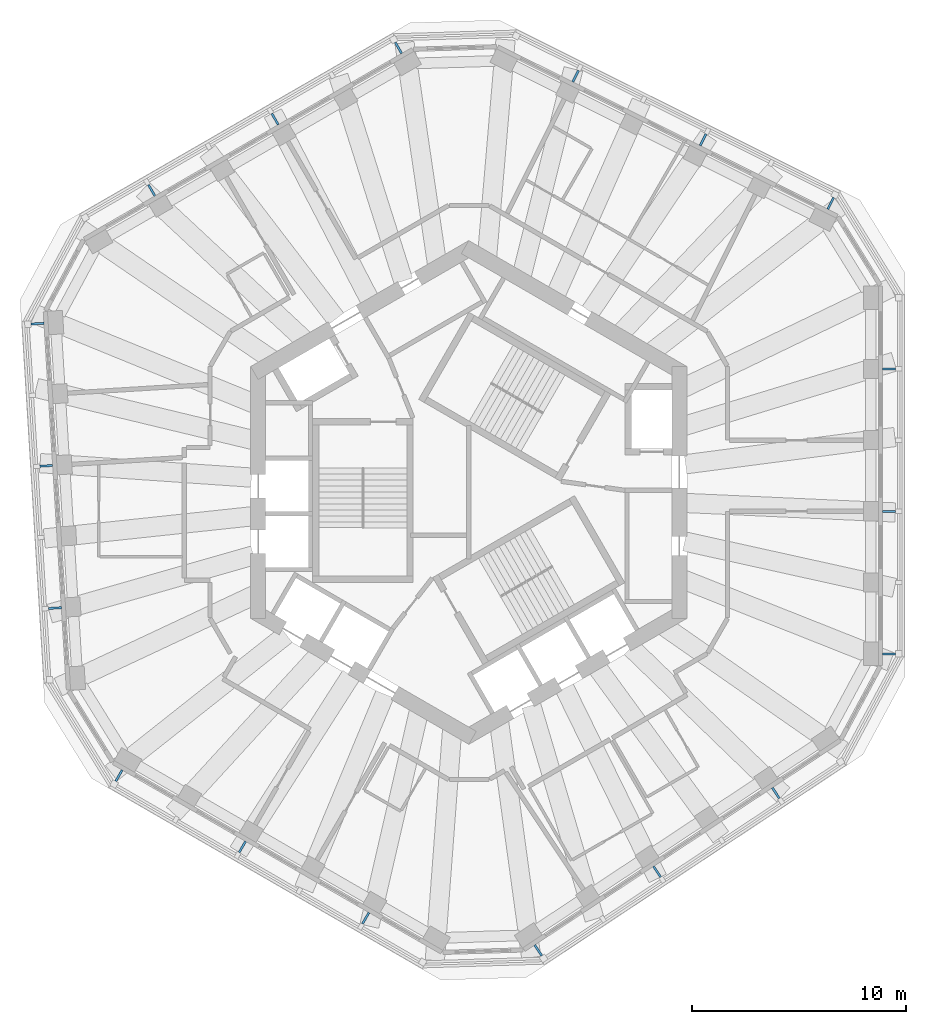
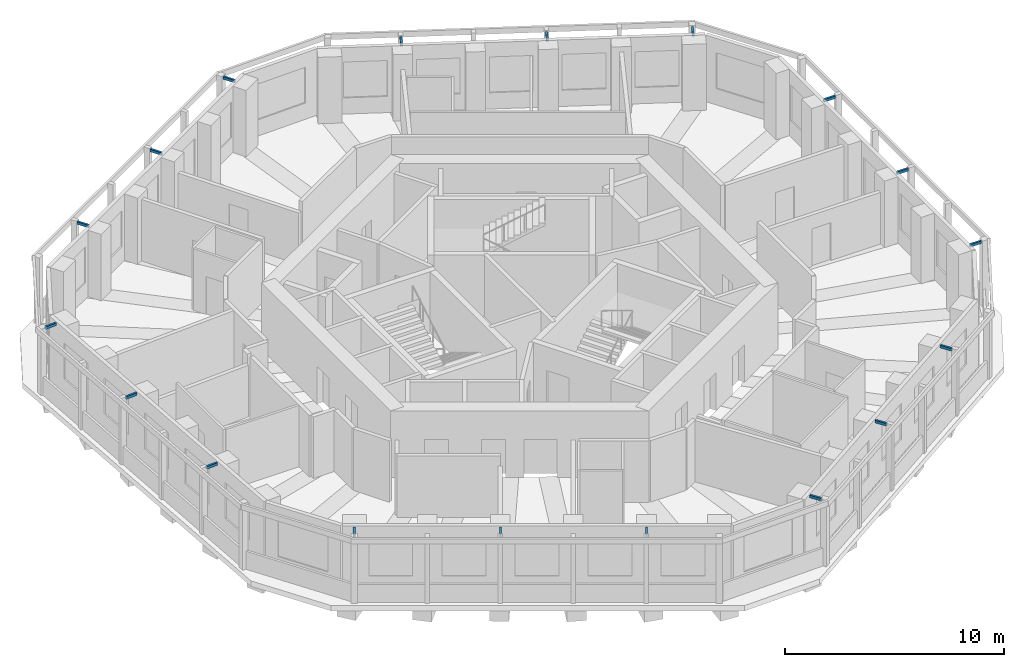
# One storey, part 10 of 11: 18 discrete accessories.
"""IFC4 building model written with IfcOpenShell, lengths in metres."""

from ifc_helpers import new_model, si_unit, direction, frame, origin, origin_2d, place, context, subcontext, project, spatial, rectangle, extrude, material, type_object, element, save


model = new_model("IFC4")

# Units and contexts
model_context = context("Model", 3, precision=1e-05, world=origin(), true_north=direction((0.0, 1.0)))
body_context = subcontext(model_context, "Body", "Model", "MODEL_VIEW")
ifc_project = project(units=[si_unit("LENGTHUNIT", "METRE"), si_unit("AREAUNIT", "SQUARE_METRE"), si_unit("VOLUMEUNIT", "CUBIC_METRE"), si_unit("PLANEANGLEUNIT", "RADIAN"), si_unit("MASSUNIT", "GRAM", prefix="KILO")], contexts=[model_context])

# Site, building, storey
site_placement = place(None, origin())
site = spatial("IfcSite", under=ifc_project, at=site_placement, CompositionType="ELEMENT")
building_placement = place(site_placement, origin())
building = spatial("IfcBuilding", under=site, at=building_placement, Name="Vanh Sen Convention Tower", CompositionType="ELEMENT")
storey_placement = place(building_placement, frame((0.0, 0.0, 259.800048828125)))
storey = spatial("IfcBuildingStorey", under=building, at=storey_placement, Name="L64", CompositionType="ELEMENT", Elevation=259.800048828125)

# Discrete accessories
ifc_material = material(Name="Steel S355", Category="steel")
discrete_accessory_type = type_object("IfcDiscreteAccessoryType", Name="Fin bracket 100 x 150", PredefinedType="BRACKET", material=ifc_material)
for number, where, z_axis, x_axis, name in (
    (1, (19.64990234375, -7.546630859375, 3.5), (0.0, 0.0, 1.0), (1.0, 0.0, 0.0), "Fin bracket E-1 L64"),
    (2, (19.64990234375, -0.88330078125, 3.5), (0.0, 0.0, 1.0), (1.0, 0.0, 0.0), "Fin bracket E-3 L64"),
    (3, (19.64990234375, 5.77978515625, 3.5), (0.0, 0.0, 1.0), (1.0, 0.0, 0.0), "Fin bracket E-5 L64"),
    (4, (16.922119140625, 13.52001953125, 3.5), (0.0, 0.0, 1.0), (0.44619781311, 0.894934361602, 0.0), "Fin bracket NE-1 L64"),
    (5, (10.958740234375, 16.4931640625, 3.5), (0.0, 0.0, 1.0), (0.44619781311, 0.894934361602, 0.0), "Fin bracket NE-3 L64"),
    (6, (4.99560546875, 19.46630859375, 3.5), (0.0, 0.0, 1.0), (0.44619781311, 0.894934361602, 0.0), "Fin bracket NE-5 L64"),
    (7, (-3.289306640625, 20.790771484375, 3.5), (0.0, 0.0, 1.0), (-0.5, 0.866025403784, 0.0), "Fin bracket NW-1 L64"),
    (8, (-9.059814453125, 17.458984375, 3.5), (0.0, 0.0, 1.0), (-0.5, 0.866025403784, 0.0), "Fin bracket NW-3 L64"),
    (9, (-14.83056640625, 14.12744140625, 3.5), (0.0, 0.0, 1.0), (-0.5, 0.866025403784, 0.0), "Fin bracket NW-5 L64"),
    (10, (-20.169677734375, 7.89501953125, 3.5), (0.0, 0.0, 1.0), (-0.998134798422, -0.061048539535, 0.0), "Fin bracket W-1 L64"),
    (11, (-19.7626953125, 1.243896484375, 3.5), (0.0, 0.0, 1.0), (-0.998134798422, -0.061048539535, 0.0), "Fin bracket W-3 L64"),
    (12, (-19.35595703125, -5.40673828125, 3.5), (0.0, 0.0, 1.0), (-0.998134798422, -0.061048539535, 0.0), "Fin bracket W-5 L64"),
    (13, (-16.360595703125, -13.243896484375, 3.5), (0.0, 0.0, 1.0), (-0.5, -0.866025403784, 0.0), "Fin bracket SW-1 L64"),
    (14, (-10.590087890625, -16.57568359375, 3.5), (0.0, 0.0, 1.0), (-0.5, -0.866025403784, 0.0), "Fin bracket SW-3 L64"),
    (15, (-4.819580078125, -19.9072265625, 3.5), (0.0, 0.0, 1.0), (-0.5, -0.866025403784, 0.0), "Fin bracket SW-5 L64"),
    (16, (3.24755859375, -21.414794921875, 3.5), (0.0, 0.0, 1.0), (0.551936985312, -0.833885822067, 0.0), "Fin bracket SE-1 L64"),
    (17, (8.803955078125, -17.737060546875, 3.5), (0.0, 0.0, 1.0), (0.551936985312, -0.833885822067, 0.0), "Fin bracket SE-3 L64"),
    (18, (14.3603515625, -14.059326171875, 3.5), (0.0, 0.0, 1.0), (0.551936985312, -0.833885822067, 0.0), "Fin bracket SE-5 L64"),
):
    element("IfcDiscreteAccessory", number, at=place(storey_placement, frame(where, z_axis=z_axis, x_axis=x_axis)), inside=storey, type_object=discrete_accessory_type, Name=name, PredefinedType="BRACKET", context=body_context, shape_type="SweptSolid", body=[
        extrude(rectangle(XDim=0.60009765625, YDim=0.10009765625, at=origin_2d()), origin(), (0.0, 0.0, 1.0), 0.14990234375),
    ])

save(model, "model.ifc")
